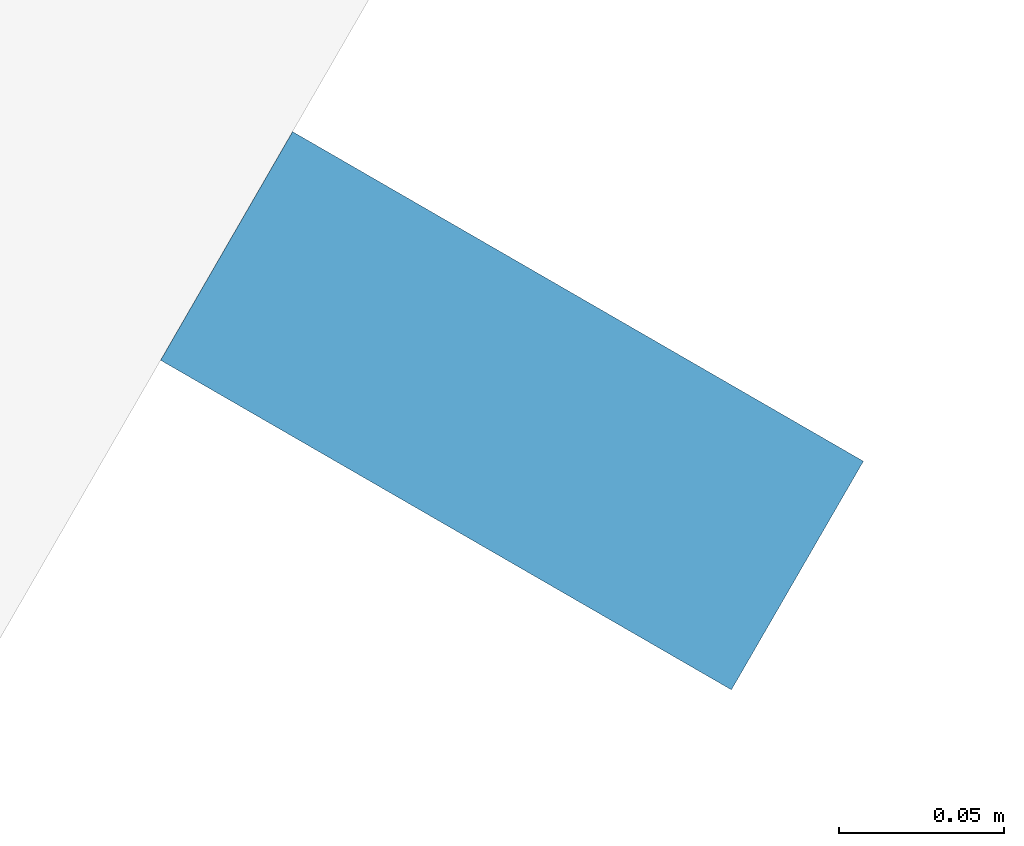
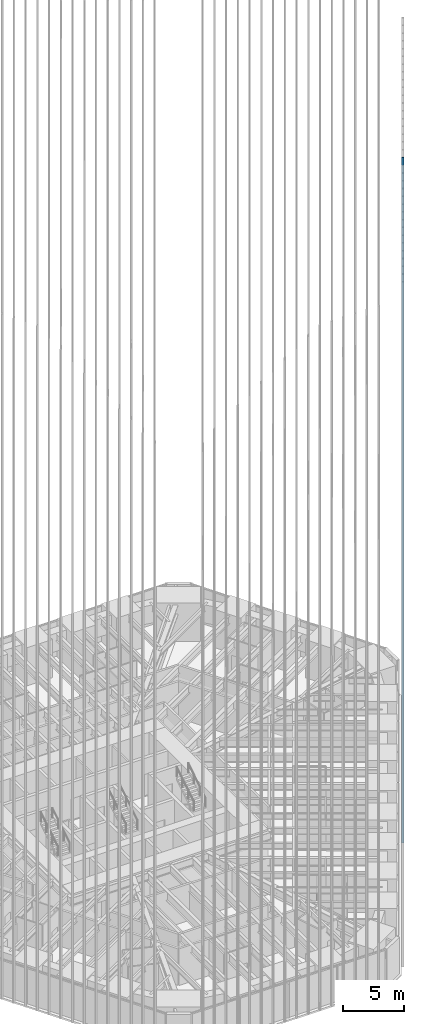
# One storey, part 106 of 256: 1 member, 1 element without a shape of its own.
"""IFC4 building model written with IfcOpenShell, lengths in metres."""

from ifc_helpers import new_model, si_unit, direction, frame, origin, origin_2d, place, context, subcontext, project, spatial, rectangle, extrude, material, material_profile, profile_set, type_object, element, aggregate, save


model = new_model("IFC4")

# Units and contexts
model_context = context("Model", 3, precision=1e-05, world=origin(), true_north=direction((0.0, 1.0)))
body_context = subcontext(model_context, "Body", "Model", "MODEL_VIEW")
ifc_project = project(units=[si_unit("LENGTHUNIT", "METRE"), si_unit("AREAUNIT", "SQUARE_METRE"), si_unit("VOLUMEUNIT", "CUBIC_METRE"), si_unit("PLANEANGLEUNIT", "RADIAN"), si_unit("MASSUNIT", "GRAM", prefix="KILO")], contexts=[model_context])

# Site, building, storey
site_placement = place(None, origin())
site = spatial("IfcSite", under=ifc_project, at=site_placement, CompositionType="ELEMENT")
building_placement = place(site_placement, origin())
building = spatial("IfcBuilding", under=site, at=building_placement, Name="Sandreach Pilgrim Tower", CompositionType="ELEMENT")
storey_placement = place(building_placement, frame((0.0, 0.0, 23.0)))
storey = spatial("IfcBuildingStorey", under=building, at=storey_placement, Name="L04", CompositionType="ELEMENT", Elevation=23.0)

# Curtain wall, member
ifc_material_1 = material(Name="Aluminium framed curtain wall", Category="aluminium")
curtain_wall_type = type_object("IfcCurtainWallType", Name="Hostel tower curtain wall", PredefinedType="NOTDEFINED", material=ifc_material_1)
curtain_wall_placement = place(storey_placement, origin())
curtain_wall = element("IfcCurtainWall", 1, at=curtain_wall_placement, inside=storey, type_object=curtain_wall_type, Name="CW-1 L04 SE", PredefinedType="NOTDEFINED")
ifc_material_2 = material(Name="Extruded terracotta on aluminium core", Category="masonry")
ifc_material_profile = material_profile(ifc_material_2, rectangle(XDim=0.080078125, YDim=0.199951171875, at=origin_2d()), Name="TBE 80X200")
ifc_profile_set = profile_set([ifc_material_profile], Name="Extruded terracotta on aluminium core")
member_type = type_object("IfcMemberType", Name="Terracotta baguette east", PredefinedType="USERDEFINED", material=ifc_profile_set)
member_placement = place(storey_placement, frame((20.53369140625, -13.1318359375, 0.0), z_axis=(0.0, 0.0, 1.0), x_axis=(-0.5, -0.866025403784, 0.0)))
member = element("IfcMember", 2, at=member_placement, type_object=member_type, Name="Baguette Z1 SE19", ObjectType="BAGUETTE", PredefinedType="USERDEFINED", context=body_context, shape_type="SweptSolid", body=[
    extrude(rectangle(XDim=0.080078125, YDim=0.199951171875, at=origin_2d()), origin(), (0.0, 0.0, 1.0), 68.239990234375),
])
aggregate(curtain_wall, [member])

save(model, "model.ifc")
